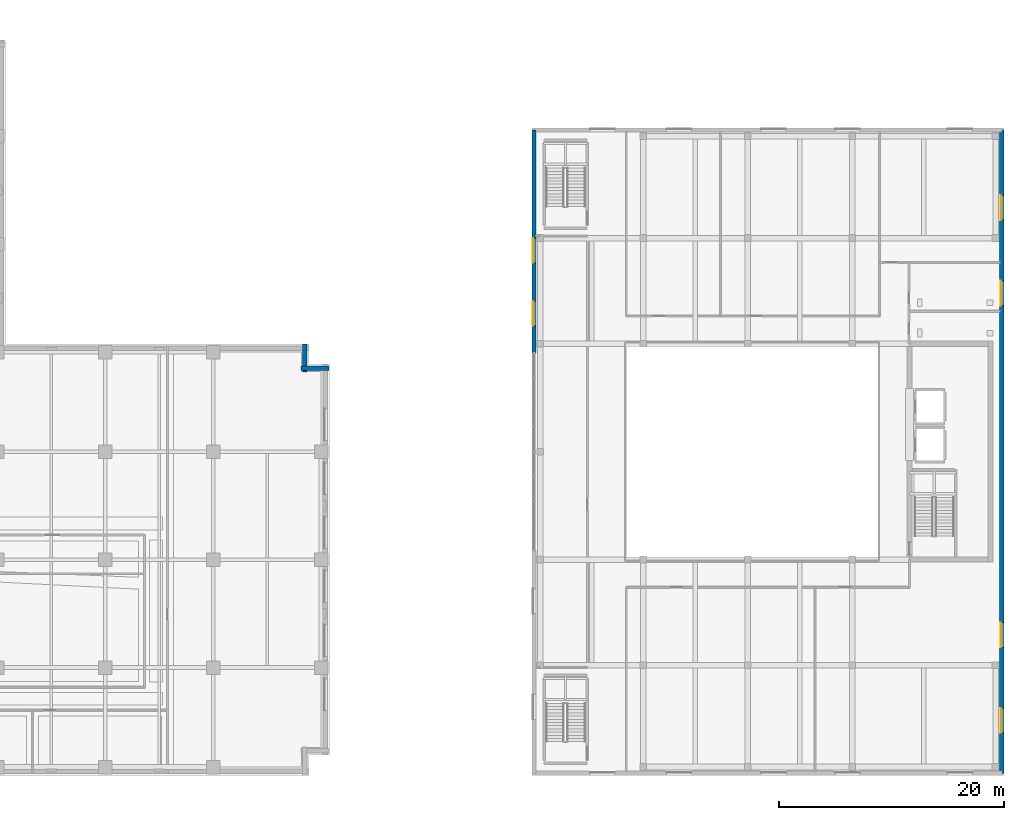
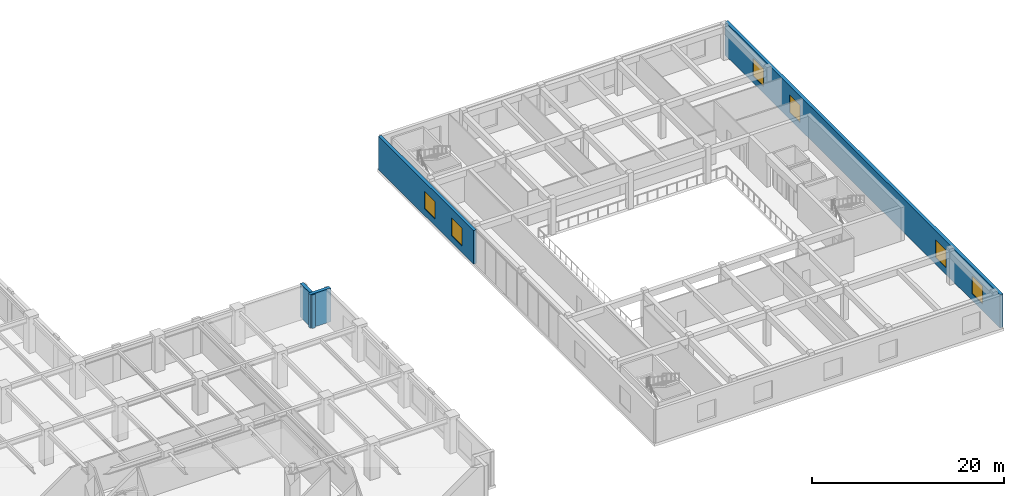
# One storey, part 10 of 24: 6 windows, 4 walls, 6 openings.
"""IFC4 building model written with IfcOpenShell, lengths in metres."""

from ifc_helpers import new_model, si_unit, direction, frame, frame_2d, origin, place, context, subcontext, project, spatial, rectangle, extrude, material, layer, layer_set, type_object, element, fill, save


model = new_model("IFC4")

# Units and contexts
model_context = context("Model", 3, precision=1e-05, world=origin(), true_north=direction((0.0, 1.0)))
body_context = subcontext(model_context, "Body", "Model", "MODEL_VIEW")
ifc_project = project(units=[si_unit("LENGTHUNIT", "METRE"), si_unit("AREAUNIT", "SQUARE_METRE"), si_unit("VOLUMEUNIT", "CUBIC_METRE"), si_unit("PLANEANGLEUNIT", "RADIAN"), si_unit("MASSUNIT", "GRAM", prefix="KILO")], contexts=[model_context])

# Site, building, storey
site_placement = place(None, origin())
site = spatial("IfcSite", under=ifc_project, at=site_placement, CompositionType="ELEMENT")
building_placement = place(site_placement, origin())
building = spatial("IfcBuilding", under=site, at=building_placement, Name="Norrvale University Quadrangle", CompositionType="ELEMENT")
storey_placement = place(building_placement, frame((0.0, 0.0, 10.39990234375)))
storey = spatial("IfcBuildingStorey", under=building, at=storey_placement, Name="L02", CompositionType="ELEMENT", Elevation=10.39990234375)

# Wall, openings, windows
ifc_material_1 = material(Name="Buff Norman Clay Brick Masonry", Category="masonry")
ifc_layer_1 = layer(ifc_material_1, 0.3798828125, Name="Buff Norman Clay Brick Masonry")
ifc_layer_set_1 = layer_set([ifc_layer_1], Name="Buff Norman Clay Brick Masonry")
wall_type_1 = type_object("IfcWallType", Name="Wall Lib Brick 380", PredefinedType="SOLIDWALL", material=ifc_layer_set_1)
wall_1_placement = place(storey_placement, frame((127.010009765625, 0.18994140625, 0.0), z_axis=(0.0, 0.0, 1.0), x_axis=(0.0, 1.0, 0.0)))
wall_1 = element("IfcWall", 1, at=wall_1_placement, inside=storey, type_object=wall_type_1, Name="Central Library East Brick Facade L02", PredefinedType="SOLIDWALL", context=body_context, shape_type="SweptSolid", body=[
    extrude(rectangle(XDim=57.219970703125, YDim=0.3798828125, at=frame_2d((28.60986328125, 0.0))), origin(), (0.0, 0.0, 1.0), 4.25),
])
opening_1_placement = place(wall_1_placement, frame((3.60009765625, 0.0, 0.85009765625)))
opening_1 = element("IfcOpeningElement", 2, at=opening_1_placement, cuts=wall_1, Name="Opening W06", PredefinedType="OPENING", context=body_context, shape_type="SweptSolid", body=[
    extrude(rectangle(XDim=2.199951171875, YDim=2.25, at=frame_2d((1.10009765625, 1.125))), frame((0.0, 0.201904296875, 0.0), z_axis=(0.0, -1.0, 0.0), x_axis=(1.0, 0.0, 0.0)), (0.0, 0.0, 1.0), 0.40380859375),
])
opening_2_placement = place(wall_1_placement, frame((11.199951171875, 0.0, 0.85009765625)))
opening_2 = element("IfcOpeningElement", 3, at=opening_2_placement, cuts=wall_1, Name="Opening W06", PredefinedType="OPENING", context=body_context, shape_type="SweptSolid", body=[
    extrude(rectangle(XDim=2.199951171875, YDim=2.25, at=frame_2d((1.10009765625, 1.125))), frame((0.0, 0.201904296875, 0.0), z_axis=(0.0, -1.0, 0.0), x_axis=(1.0, 0.0, 0.0)), (0.0, 0.0, 1.0), 0.40380859375),
])
opening_3_placement = place(wall_1_placement, frame((41.60009765625, 0.0, 0.85009765625)))
opening_3 = element("IfcOpeningElement", 4, at=opening_3_placement, cuts=wall_1, Name="Opening W06", PredefinedType="OPENING", context=body_context, shape_type="SweptSolid", body=[
    extrude(rectangle(XDim=2.199951171875, YDim=2.25, at=frame_2d((1.10009765625, 1.125))), frame((0.0, 0.201904296875, 0.0), z_axis=(0.0, -1.0, 0.0), x_axis=(1.0, 0.0, 0.0)), (0.0, 0.0, 1.0), 0.40380859375),
])
opening_4_placement = place(wall_1_placement, frame((49.199951171875, 0.0, 0.85009765625)))
opening_4 = element("IfcOpeningElement", 5, at=opening_4_placement, cuts=wall_1, Name="Opening W06", PredefinedType="OPENING", context=body_context, shape_type="SweptSolid", body=[
    extrude(rectangle(XDim=2.199951171875, YDim=2.25, at=frame_2d((1.10009765625, 1.125))), frame((0.0, 0.201904296875, 0.0), z_axis=(0.0, -1.0, 0.0), x_axis=(1.0, 0.0, 0.0)), (0.0, 0.0, 1.0), 0.40380859375),
])
ifc_material_2 = material(Name="Bird-Friendly Fritted Triple Glazing", Category="glass")
window_type = type_object("IfcWindowType", Name="Window Library 2200x2600", PartitioningType="DOUBLE_PANEL_VERTICAL", PredefinedType="WINDOW", material=ifc_material_2)
window_1_placement = place(opening_1_placement, origin())
window_1 = element("IfcWindow", 6, at=window_1_placement, inside=storey, type_object=window_type, Name="Window Library 2200x2600 WIN-L02-LE-01", OverallHeight=2.25, OverallWidth=2.199951171875, PartitioningType="DOUBLE_PANEL_VERTICAL", PredefinedType="WINDOW", context=body_context, shape_type="SweptSolid", body=[
    extrude(rectangle(XDim=2.199951171875, YDim=2.25, at=frame_2d((1.10009765625, 1.125))), frame((0.0, 0.110107421875, 0.0), z_axis=(0.0, -1.0, 0.0), x_axis=(1.0, 0.0, 0.0)), (0.0, 0.0, 1.0), 0.06005859375),
])
fill(opening_1, window_1)
window_2_placement = place(opening_2_placement, origin())
window_2 = element("IfcWindow", 7, at=window_2_placement, inside=storey, type_object=window_type, Name="Window Library 2200x2600 WIN-L02-LE-02", OverallHeight=2.25, OverallWidth=2.199951171875, PartitioningType="DOUBLE_PANEL_VERTICAL", PredefinedType="WINDOW", context=body_context, shape_type="SweptSolid", body=[
    extrude(rectangle(XDim=2.199951171875, YDim=2.25, at=frame_2d((1.10009765625, 1.125))), frame((0.0, 0.110107421875, 0.0), z_axis=(0.0, -1.0, 0.0), x_axis=(1.0, 0.0, 0.0)), (0.0, 0.0, 1.0), 0.06005859375),
])
fill(opening_2, window_2)
window_3_placement = place(opening_3_placement, origin())
window_3 = element("IfcWindow", 8, at=window_3_placement, inside=storey, type_object=window_type, Name="Window Library 2200x2600 WIN-L02-LE-03", OverallHeight=2.25, OverallWidth=2.199951171875, PartitioningType="DOUBLE_PANEL_VERTICAL", PredefinedType="WINDOW", context=body_context, shape_type="SweptSolid", body=[
    extrude(rectangle(XDim=2.199951171875, YDim=2.25, at=frame_2d((1.10009765625, 1.125))), frame((0.0, 0.110107421875, 0.0), z_axis=(0.0, -1.0, 0.0), x_axis=(1.0, 0.0, 0.0)), (0.0, 0.0, 1.0), 0.06005859375),
])
fill(opening_3, window_3)
window_4_placement = place(opening_4_placement, origin())
window_4 = element("IfcWindow", 9, at=window_4_placement, inside=storey, type_object=window_type, Name="Window Library 2200x2600 WIN-L02-LE-04", OverallHeight=2.25, OverallWidth=2.199951171875, PartitioningType="DOUBLE_PANEL_VERTICAL", PredefinedType="WINDOW", context=body_context, shape_type="SweptSolid", body=[
    extrude(rectangle(XDim=2.199951171875, YDim=2.25, at=frame_2d((1.10009765625, 1.125))), frame((0.0, 0.110107421875, 0.0), z_axis=(0.0, -1.0, 0.0), x_axis=(1.0, 0.0, 0.0)), (0.0, 0.0, 1.0), 0.06005859375),
])
fill(opening_4, window_4)

wall_2_placement = place(storey_placement, frame((85.389892578125, 37.60009765625, 0.0), z_axis=(0.0, 0.0, 1.0), x_axis=(0.0, 1.0, 0.0)))
wall_2 = element("IfcWall", 10, at=wall_2_placement, inside=storey, type_object=wall_type_1, Name="Library West Brick Wall North L02", PredefinedType="SOLIDWALL", context=body_context, shape_type="SweptSolid", body=[
    extrude(rectangle(XDim=19.809814453125, YDim=0.3798828125, at=frame_2d((9.90478515625, 0.0))), origin(), (0.0, 0.0, 1.0), 4.25),
])
opening_5_placement = place(wall_2_placement, frame((2.39990234375, 0.0, 0.85009765625)))
opening_5 = element("IfcOpeningElement", 11, at=opening_5_placement, cuts=wall_2, Name="Opening W06", PredefinedType="OPENING", context=body_context, shape_type="SweptSolid", body=[
    extrude(rectangle(XDim=2.199951171875, YDim=2.25, at=frame_2d((1.10009765625, 1.125))), frame((0.0, 0.201904296875, 0.0), z_axis=(0.0, -1.0, 0.0), x_axis=(1.0, 0.0, 0.0)), (0.0, 0.0, 1.0), 0.40380859375),
])
opening_6_placement = place(wall_2_placement, frame((8.0, 0.0, 0.85009765625)))
opening_6 = element("IfcOpeningElement", 12, at=opening_6_placement, cuts=wall_2, Name="Opening W06", PredefinedType="OPENING", context=body_context, shape_type="SweptSolid", body=[
    extrude(rectangle(XDim=2.199951171875, YDim=2.25, at=frame_2d((1.10009765625, 1.125))), frame((0.0, 0.201904296875, 0.0), z_axis=(0.0, -1.0, 0.0), x_axis=(1.0, 0.0, 0.0)), (0.0, 0.0, 1.0), 0.40380859375),
])
window_5_placement = place(opening_5_placement, origin())
window_5 = element("IfcWindow", 13, at=window_5_placement, inside=storey, type_object=window_type, Name="Window Library 2200x2600 WIN-L02-LW2-1", OverallHeight=2.25, OverallWidth=2.199951171875, PartitioningType="DOUBLE_PANEL_VERTICAL", PredefinedType="WINDOW", context=body_context, shape_type="SweptSolid", body=[
    extrude(rectangle(XDim=2.199951171875, YDim=2.25, at=frame_2d((1.10009765625, 1.125))), frame((0.0, 0.110107421875, 0.0), z_axis=(0.0, -1.0, 0.0), x_axis=(1.0, 0.0, 0.0)), (0.0, 0.0, 1.0), 0.06005859375),
])
fill(opening_5, window_5)
window_6_placement = place(opening_6_placement, origin())
window_6 = element("IfcWindow", 14, at=window_6_placement, inside=storey, type_object=window_type, Name="Window Library 2200x2600 WIN-L02-LW2-2", OverallHeight=2.25, OverallWidth=2.199951171875, PartitioningType="DOUBLE_PANEL_VERTICAL", PredefinedType="WINDOW", context=body_context, shape_type="SweptSolid", body=[
    extrude(rectangle(XDim=2.199951171875, YDim=2.25, at=frame_2d((1.10009765625, 1.125))), frame((0.0, 0.110107421875, 0.0), z_axis=(0.0, -1.0, 0.0), x_axis=(1.0, 0.0, 0.0)), (0.0, 0.0, 1.0), 0.06005859375),
])
fill(opening_6, window_6)

# Walls
ifc_material_3 = material(Name="Red Manganese Brick Masonry", Category="masonry")
ifc_layer_2 = layer(ifc_material_3, 0.39990234375, Name="Red Manganese Brick Masonry")
ifc_layer_set_2 = layer_set([ifc_layer_2], Name="Red Manganese Brick Masonry")
wall_type_2 = type_object("IfcWallType", Name="Wall Red Brick 400", PredefinedType="SOLIDWALL", material=ifc_layer_set_2)
wall_3_placement = place(storey_placement, frame((67.159912109375, 36.219970703125, 0.0), z_axis=(0.0, 0.0, 1.0), x_axis=(-1.0, 0.0, 0.0)))
element("IfcWall", 15, at=wall_3_placement, inside=storey, type_object=wall_type_2, Name="Exterior Brick Facade Wall L02-05.1", PredefinedType="SOLIDWALL", context=body_context, shape_type="SweptSolid", body=[
    extrude(rectangle(XDim=2.47998046875, YDim=0.39990234375, at=frame_2d((1.239990234375, 0.0))), origin(), (0.0, 0.0, 1.0), 4.260009765625),
])
wall_4_placement = place(storey_placement, frame((65.02001953125, 35.8798828125, 0.0), z_axis=(0.0, 0.0, 1.0), x_axis=(0.0, 1.0, 0.0)))
element("IfcWall", 16, at=wall_4_placement, inside=storey, type_object=wall_type_2, Name="Exterior Brick Facade Wall L02-06.1", PredefinedType="SOLIDWALL", context=body_context, shape_type="SweptSolid", body=[
    extrude(rectangle(XDim=2.480224609375, YDim=0.39990234375, at=frame_2d((1.240234375, 0.0))), origin(), (0.0, 0.0, 1.0), 4.260009765625),
])

save(model, "model.ifc")
